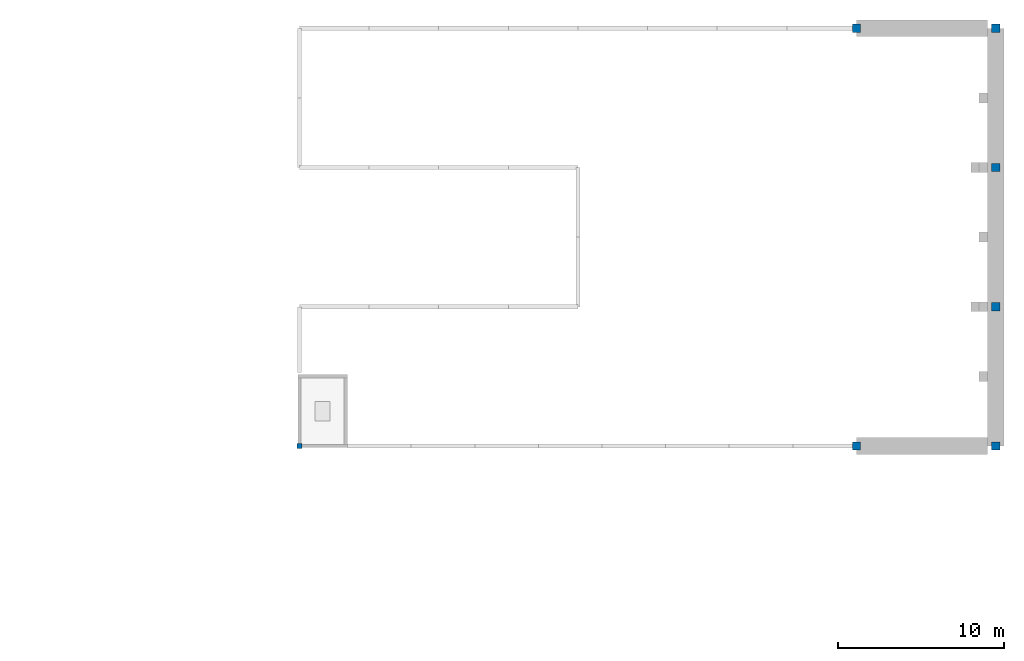
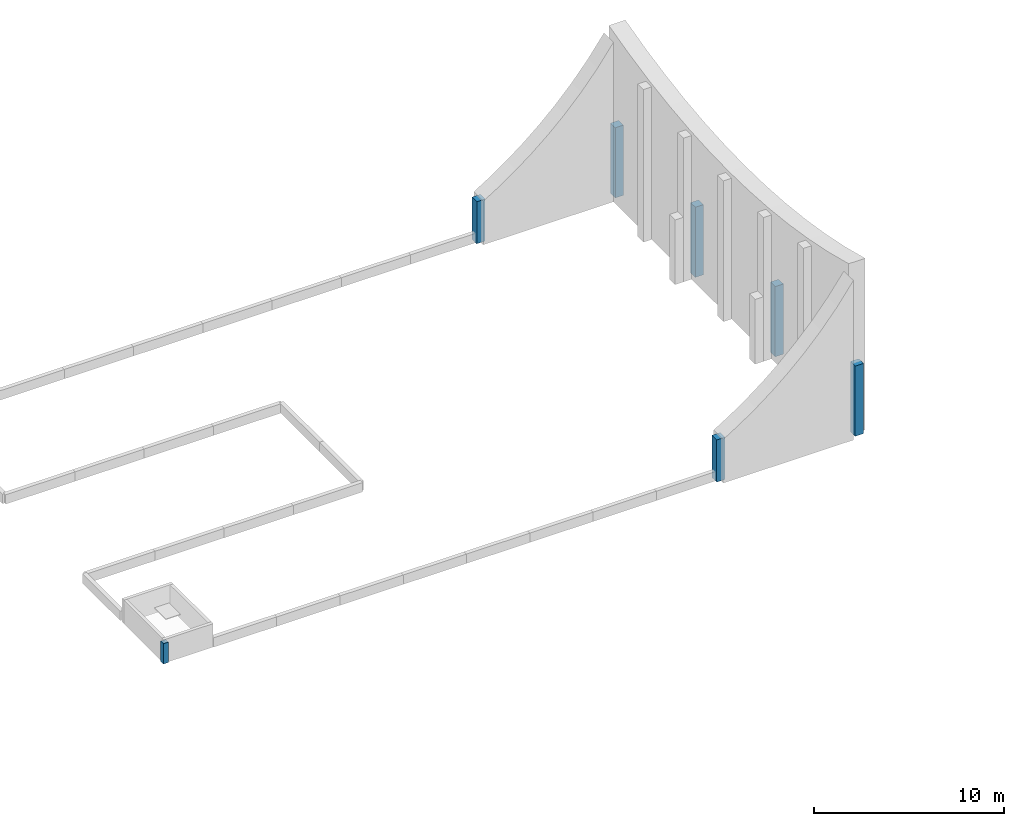
# One storey, part 2 of 22: 7 columns.
"""IFC4 building model written with IfcOpenShell, lengths in metres."""

from ifc_helpers import new_model, si_unit, direction, frame, origin, origin_2d, place, context, subcontext, project, spatial, rectangle, extrude, material, material_profile, profile_set, type_object, element, save


model = new_model("IFC4")

# Units and contexts
model_context = context("Model", 3, precision=1e-05, world=origin(), true_north=direction((0.0, 1.0)))
body_context = subcontext(model_context, "Body", "Model", "MODEL_VIEW")
ifc_project = project(units=[si_unit("LENGTHUNIT", "METRE"), si_unit("AREAUNIT", "SQUARE_METRE"), si_unit("VOLUMEUNIT", "CUBIC_METRE"), si_unit("PLANEANGLEUNIT", "RADIAN"), si_unit("MASSUNIT", "GRAM", prefix="KILO")], contexts=[model_context])

# Site, building, storey
site_placement = place(None, origin())
site = spatial("IfcSite", under=ifc_project, at=site_placement, CompositionType="ELEMENT")
building_placement = place(site_placement, origin())
building = spatial("IfcBuilding", under=site, at=building_placement, Name="Fescue Hill Polytechnic", CompositionType="ELEMENT")
storey_placement = place(building_placement, frame((0.0, 0.0, 27.0)))
storey = spatial("IfcBuildingStorey", under=building, at=storey_placement, Name="L06", CompositionType="ELEMENT", Elevation=27.0)

# Columns
ifc_material = material(Name="Concrete 40 MPa", Category="concrete")
ifc_material_profile_1 = material_profile(ifc_material, rectangle(XDim=0.300048828125, YDim=0.300048828125, at=origin_2d()), Name="RC 300x300")
ifc_profile_set_1 = profile_set([ifc_material_profile_1], Name="Concrete 40 MPa")
column_type_1 = type_object("IfcColumnType", Name="Column RC 300x300", PredefinedType="COLUMN", material=ifc_profile_set_1)
column_placement = place(storey_placement, frame((75.60009765625, 109.199951171875, 0.0), z_axis=(0.0, 0.0, 1.0), x_axis=(1.0, 0.0, 0.0)))
element("IfcColumn", 1, at=column_placement, inside=storey, type_object=column_type_1, Name="COL-L06-V4b-001", PredefinedType="COLUMN", context=body_context, shape_type="SweptSolid", body=[
    extrude(rectangle(XDim=0.300048828125, YDim=0.300048828125, at=origin_2d()), origin(), (0.0, 0.0, 1.0), 1.300048828125),
])
ifc_material_profile_2 = material_profile(ifc_material, rectangle(XDim=0.5, YDim=0.5, at=origin_2d()), Name="RC 500x500")
ifc_profile_set_2 = profile_set([ifc_material_profile_2], Name="Concrete 40 MPa")
column_type_2 = type_object("IfcColumnType", Name="Column RC 500x500", PredefinedType="COLUMN", material=ifc_profile_set_2)
for number, where, z_axis, x_axis, name in (
    (2, (117.60009765625, 109.199951171875, 0.0), (0.0, 0.0, 1.0), (1.0, 0.0, 0.0), "CP-CR4-L06-1092"),
    (3, (117.60009765625, 117.60009765625, 0.0), (0.0, 0.0, 1.0), (1.0, 0.0, 0.0), "CP-CR4-L06-1176"),
    (4, (117.60009765625, 126.0, 0.0), (0.0, 0.0, 1.0), (1.0, 0.0, 0.0), "CP-CR4-L06-1260"),
    (5, (117.60009765625, 134.39990234375, 0.0), (0.0, 0.0, 1.0), (1.0, 0.0, 0.0), "CP-CR4-L06-1344"),
):
    element("IfcColumn", number, at=place(storey_placement, frame(where, z_axis=z_axis, x_axis=x_axis)), inside=storey, type_object=column_type_2, Name=name, PredefinedType="COLUMN", context=body_context, shape_type="SweptSolid", body=[
        extrude(rectangle(XDim=0.5, YDim=0.5, at=origin_2d()), origin(), (0.0, 0.0, 1.0), 4.5),
    ])
for number, where, z_axis, x_axis, name in (
    (6, (109.199951171875, 109.199951171875, 0.0), (0.0, 0.0, 1.0), (1.0, 0.0, 0.0), "CP-CR10-L06-1092"),
    (7, (109.199951171875, 134.39990234375, 0.0), (0.0, 0.0, 1.0), (1.0, 0.0, 0.0), "CP-CR11-L06-1092"),
):
    element("IfcColumn", number, at=place(storey_placement, frame(where, z_axis=z_axis, x_axis=x_axis)), inside=storey, type_object=column_type_2, Name=name, PredefinedType="COLUMN", context=body_context, shape_type="SweptSolid", body=[
        extrude(rectangle(XDim=0.5, YDim=0.5, at=origin_2d()), origin(), (0.0, 0.0, 1.0), 2.699951171875),
    ])

save(model, "model.ifc")
